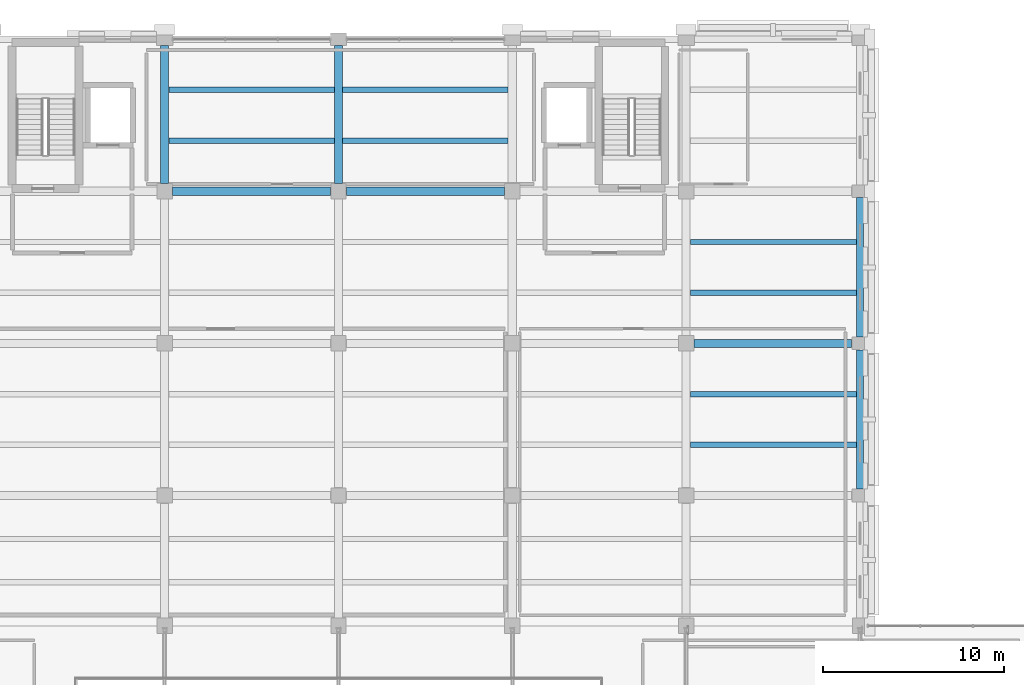
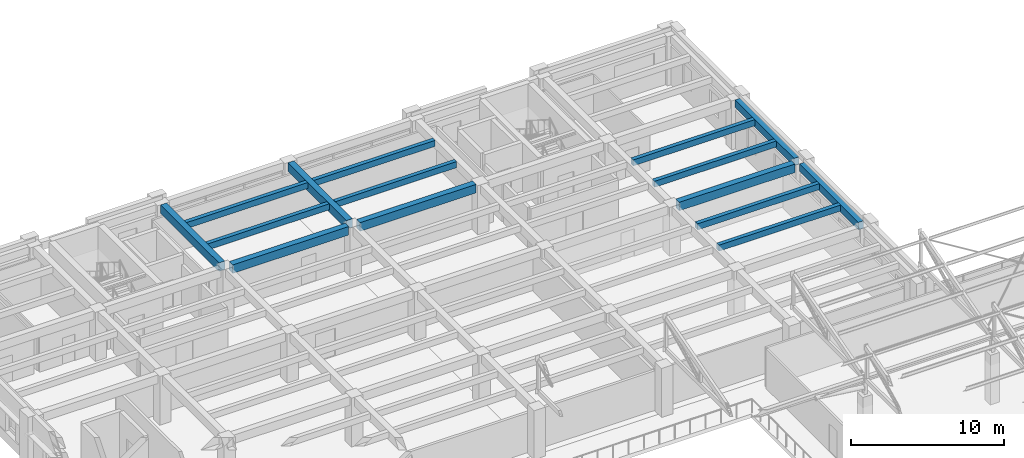
# One storey, part 26 of 58: 15 beams.
"""IFC4 building model written with IfcOpenShell, lengths in metres."""

import ifcopenshell
import ifcopenshell.guid

model = None  # the IFC model being written
_history = None  # IfcOwnerHistory: only IFC2X3 demands one
_inside = {}  # id of a spatial element -> (the spatial element, [elements in it])
_under = {}  # id of a project, library or spatial element -> (it, [spatial elements below it])
_declared = {}  # id of a project -> (the project, [libraries it declares])
_typed = {}  # id of a type object -> (the type object, [elements of that type])
_made_of = {}  # id of a material, layer set ... -> (it, [elements and type objects made of it])


def new_model(schema):
    """Start an empty IFC model of exactly this schema.

    Asked for "IFC4X3", IfcOpenShell would pick the latest addendum, in which some entities
    have other attributes; the version numbers below select the first issue.
    IFC2X3 requires an IfcOwnerHistory on every rooted entity: one is made here for all.
    """
    global model, _history
    if schema == "IFC4X3":
        model = ifcopenshell.file(schema_version=(4, 3, 0, 0))
    else:
        model = ifcopenshell.file(schema=schema)
    _inside.clear()
    _under.clear()
    _declared.clear()
    _typed.clear()
    _made_of.clear()
    _history = None
    if model.schema == "IFC2X3":
        org = make("IfcOrganization", Name="unknown")
        user = make(
            "IfcPersonAndOrganization",
            ThePerson=make("IfcPerson", FamilyName="unknown"),
            TheOrganization=org,
        )
        app = make(
            "IfcApplication",
            ApplicationDeveloper=org,
            Version="unknown",
            ApplicationFullName="unknown",
            ApplicationIdentifier="unknown",
        )
        _history = make(
            "IfcOwnerHistory",
            OwningUser=user,
            OwningApplication=app,
            ChangeAction="ADDED",
            CreationDate=0,
        )
    return model


def make(cls, **values):
    """One entity of the class cls with the attributes given. An attribute that is None is left unset."""
    return model.create_entity(
        cls, **{name: value for name, value in values.items() if value is not None}
    )


def rooted(cls, **values):
    """An entity with a GlobalId (a new one), such as an element, a storey or a relation."""
    return make(cls, GlobalId=ifcopenshell.guid.new(), OwnerHistory=_history, **values)


def si_unit(unit_type, name, prefix=None):
    """IfcSIUnit, for example si_unit("LENGTHUNIT", "METRE", prefix="MILLI")."""
    return make("IfcSIUnit", UnitType=unit_type, Prefix=prefix, Name=name)


def assignment(units):
    """IfcUnitAssignment: the units of a project."""
    return None if units is None else make("IfcUnitAssignment", Units=units)


def point(xyz):
    """IfcCartesianPoint."""
    return None if xyz is None else make("IfcCartesianPoint", Coordinates=xyz)


def direction(xyz):
    """IfcDirection."""
    return None if xyz is None else make("IfcDirection", DirectionRatios=xyz)


def frame(location, z_axis=None, x_axis=None):
    """IfcAxis2Placement3D, a coordinate frame: its origin and axes. An axis left out is left unset."""
    return make(
        "IfcAxis2Placement3D",
        Location=point(location),
        Axis=direction(z_axis),
        RefDirection=direction(x_axis),
    )


def frame_2d(location, x_axis=None):
    """IfcAxis2Placement2D, a coordinate frame in the plane: its origin and x axis."""
    return make(
        "IfcAxis2Placement2D", Location=point(location), RefDirection=direction(x_axis)
    )


def origin():
    """The frame at (0, 0, 0) with its axes left unset."""
    return frame((0.0, 0.0, 0.0))


def origin_2d():
    """The frame at (0, 0) in the plane with its x axis left unset."""
    return frame_2d((0.0, 0.0))


def place(relative_to, where):
    """IfcLocalPlacement: puts the frame where relative to a parent placement (None: the world)."""
    return make(
        "IfcLocalPlacement", PlacementRelTo=relative_to, RelativePlacement=where
    )


def context(
    kind, dimensions, precision=None, world=None, true_north=None, identifier=None
):
    """IfcGeometricRepresentationContext, for example the 3D "Model" context."""
    return make(
        "IfcGeometricRepresentationContext",
        ContextIdentifier=identifier,
        ContextType=kind,
        CoordinateSpaceDimension=dimensions,
        Precision=precision,
        WorldCoordinateSystem=world,
        TrueNorth=true_north,
    )


def subcontext(parent, identifier, kind, view, scale=None):
    """IfcGeometricRepresentationSubContext, for example "Body" below "Model"."""
    return make(
        "IfcGeometricRepresentationSubContext",
        ContextIdentifier=identifier,
        ContextType=kind,
        ParentContext=parent,
        TargetScale=scale,
        TargetView=view,
    )


def project(units=None, contexts=None):
    """IfcProject with its units and contexts."""
    return rooted(
        "IfcProject",
        Name="project",
        RepresentationContexts=contexts,
        UnitsInContext=assignment(units),
    )


def spatial(cls, under=None, at=None, **own):
    """A site, building, storey or space (cls), placed at a placement, below another one or the project."""
    s = rooted(cls, ObjectPlacement=at, **own)
    if under is not None:
        _under.setdefault(under.id(), (under, []))[1].append(s)
    return s


def profile(cls, at=None, kind="AREA", **sizes):
    """A parametric profile (cls). Its sizes go by their IFC names, for example OverallWidth=200.0."""
    return make(cls, ProfileType=kind, Position=at, **sizes)


def rectangle(**sizes):
    """IfcRectangleProfileDef."""
    return profile("IfcRectangleProfileDef", **sizes)


def extrude(swept, where, along, depth):
    """IfcExtrudedAreaSolid: the profile swept, set in the frame where, extruded along a direction by depth."""
    return make(
        "IfcExtrudedAreaSolid",
        SweptArea=swept,
        Position=where,
        ExtrudedDirection=direction(along),
        Depth=depth,
    )


def shape(context_of_items, identifier, shape_type, items):
    """IfcShapeRepresentation: the items that make up one representation, for example the "Body"."""
    return make(
        "IfcShapeRepresentation",
        ContextOfItems=context_of_items,
        RepresentationIdentifier=identifier,
        RepresentationType=shape_type,
        Items=items,
    )


def material(Name=None, Category=None):
    """IfcMaterial."""
    return make("IfcMaterial", Name=Name, Category=Category)


def material_profile(
    of_material, cross_section, Name=None, Category=None, Priority=None
):
    """IfcMaterialProfile: a cross section and its material."""
    return make(
        "IfcMaterialProfile",
        Name=Name,
        Material=of_material,
        Profile=cross_section,
        Priority=Priority,
        Category=Category,
    )


def profile_set(profiles, Name=None, composite=None):
    """IfcMaterialProfileSet."""
    return make(
        "IfcMaterialProfileSet",
        Name=Name,
        MaterialProfiles=profiles,
        CompositeProfile=composite,
    )


def made_of(thing, what):
    """Note that an element or type object is made of a material, layer set ...; save() writes the relation."""
    if what is not None:
        _made_of.setdefault(what.id(), (what, []))[1].append(thing)
    return thing


def type_object(cls, material=None, **own):
    """A type object (cls), such as IfcWallType, which elements share."""
    return made_of(rooted(cls, **own), material)


def element(
    cls,
    number,
    at=None,
    inside=None,
    cuts=None,
    type_object=None,
    material=None,
    context=None,
    identifier="Body",
    shape_type=None,
    held_by="IfcProductDefinitionShape",
    body=None,
    shapes=None,
    **own,
):
    """One element of the class cls, such as IfcWall. Its Tag is "e" and its number.

    at: its placement. inside: the storey or other place that contains it. cuts: it is an
    opening in that element (IfcRelVoidsElement). A single representation is given by context,
    identifier, shape_type and body (its items); several are given by shapes. held_by: the class
    of the entity that holds the representations. save() writes the other relations.
    """
    e = rooted(cls, Tag="e%d" % number, ObjectPlacement=at, **own)
    if body is not None:
        shapes = [shape(context, identifier, shape_type, body)]
    if shapes is not None:
        e.Representation = make(held_by, Representations=shapes)
    if inside is not None:
        _inside.setdefault(inside.id(), (inside, []))[1].append(e)
    if cuts is not None:
        rooted(
            "IfcRelVoidsElement", RelatingBuildingElement=cuts, RelatedOpeningElement=e
        )
    if type_object is not None:
        _typed.setdefault(type_object.id(), (type_object, []))[1].append(e)
    return made_of(e, material)


def aggregate(whole, parts):
    """IfcRelAggregates: a whole, such as a stair, and the parts it consists of."""
    return rooted("IfcRelAggregates", RelatingObject=whole, RelatedObjects=parts)


def save(model, path):
    """Write the relations noted so far, then the file.

    IfcRelAggregates (storeys below a building ...), IfcRelContainedInSpatialStructure (elements
    in a storey), IfcRelDefinesByType, IfcRelAssociatesMaterial and IfcRelDeclares: one each for
    every whole, place, type object, material and project.
    """
    for whole, parts in _under.values():
        aggregate(whole, parts)
    for where, things in _inside.values():
        rooted(
            "IfcRelContainedInSpatialStructure",
            RelatedElements=things,
            RelatingStructure=where,
        )
    for kind, things in _typed.values():
        rooted("IfcRelDefinesByType", RelatedObjects=things, RelatingType=kind)
    for what, things in _made_of.values():
        rooted("IfcRelAssociatesMaterial", RelatedObjects=things, RelatingMaterial=what)
    for by, libraries in _declared.values():
        rooted("IfcRelDeclares", RelatingContext=by, RelatedDefinitions=libraries)
    model.write(path)


model = new_model("IFC4")

# Units and contexts
model_context = context("Model", 3, precision=1e-05, world=origin(), true_north=direction((0.0, 1.0)))
body_context = subcontext(model_context, "Body", "Model", "MODEL_VIEW")
ifc_project = project(units=[si_unit("LENGTHUNIT", "METRE"), si_unit("AREAUNIT", "SQUARE_METRE"), si_unit("VOLUMEUNIT", "CUBIC_METRE"), si_unit("PLANEANGLEUNIT", "RADIAN"), si_unit("MASSUNIT", "GRAM", prefix="KILO")], contexts=[model_context])

# Site, building, storey
site_placement = place(None, origin())
site = spatial("IfcSite", under=ifc_project, at=site_placement, CompositionType="ELEMENT")
building_placement = place(site_placement, origin())
building = spatial("IfcBuilding", under=site, at=building_placement, Name="Bempovik Park Faculty of Sciences", CompositionType="ELEMENT")
storey_placement = place(building_placement, frame((0.0, 0.0, 18.300048828125)))
storey = spatial("IfcBuildingStorey", under=building, at=storey_placement, Name="L04", CompositionType="ELEMENT", Elevation=18.300048828125)

# Beams
ifc_material = material(Name="Concrete C35/45", Category="concrete")
ifc_material_profile_1 = material_profile(ifc_material, rectangle(XDim=0.3798828125, YDim=0.60009765625, at=origin_2d()), Name="RC 380x600")
ifc_profile_set_1 = profile_set([ifc_material_profile_1], Name="Concrete C35/45")
beam_type_1 = type_object("IfcBeamType", Name="B-032 RC 380x600", PredefinedType="SPANDREL", material=ifc_profile_set_1)
for number, where, z_axis, x_axis, name in (
    (1, (117.60009765625, 94.555908203125, 3.599853515625), (0.0, 1.0, 0.0), (-1.0, 0.0, 0.0), "L04 Beam Y (x=117.6, 94.2-102.6)"),
    (2, (117.60009765625, 102.9560546875, 3.599853515625), (0.0, 1.0, 0.0), (-1.0, 0.0, 0.0), "L04 Beam Y (x=117.6, 102.6-111.0)"),
):
    element("IfcBeam", number, at=place(storey_placement, frame(where, z_axis=z_axis, x_axis=x_axis)), inside=storey, type_object=beam_type_1, Name=name, PredefinedType="SPANDREL", context=body_context, shape_type="SweptSolid", body=[
        extrude(rectangle(XDim=0.3798828125, YDim=0.60009765625, at=origin_2d()), origin(), (0.0, 0.0, 1.0), 7.68798828125),
    ])
ifc_material_profile_2 = material_profile(ifc_material, rectangle(XDim=0.300048828125, YDim=0.47998046875, at=origin_2d()), Name="RC 300x480")
ifc_profile_set_2 = profile_set([ifc_material_profile_2], Name="Concrete C35/45")
beam_type_2 = type_object("IfcBeamType", Name="B-039 RC 300x480", PredefinedType="JOIST", material=ifc_profile_set_2)
for number, where, z_axis, x_axis, name in (
    (3, (79.430908203125, 113.800048828125, 3.659912109375), (1.0, 0.0, 0.0), (0.0, 1.0, 0.0), "L04 Secondary Joist (79.2-88.8, y=113.80)"),
    (4, (79.430908203125, 116.60009765625, 3.659912109375), (1.0, 0.0, 0.0), (0.0, 1.0, 0.0), "L04 Secondary Joist (79.2-88.8, y=116.60)"),
):
    element("IfcBeam", number, at=place(storey_placement, frame(where, z_axis=z_axis, x_axis=x_axis)), inside=storey, type_object=beam_type_2, Name=name, PredefinedType="JOIST", context=body_context, shape_type="SweptSolid", body=[
        extrude(rectangle(XDim=0.300048828125, YDim=0.47998046875, at=origin_2d()), origin(), (0.0, 0.0, 1.0), 9.13818359375),
    ])
for number, where, z_axis, x_axis, name in (
    (5, (89.031005859375, 113.800048828125, 3.659912109375), (1.0, 0.0, 0.0), (0.0, 1.0, 0.0), "L04 Secondary Joist (88.8-98.4, y=113.80)"),
    (6, (89.031005859375, 116.60009765625, 3.659912109375), (1.0, 0.0, 0.0), (0.0, 1.0, 0.0), "L04 Secondary Joist (88.8-98.4, y=116.60)"),
):
    element("IfcBeam", number, at=place(storey_placement, frame(where, z_axis=z_axis, x_axis=x_axis)), inside=storey, type_object=beam_type_2, Name=name, PredefinedType="JOIST", context=body_context, shape_type="SweptSolid", body=[
        extrude(rectangle(XDim=0.300048828125, YDim=0.47998046875, at=origin_2d()), origin(), (0.0, 0.0, 1.0), 9.137939453125),
    ])
for number, where, z_axis, x_axis, name in (
    (7, (108.23095703125, 97.0, 3.659912109375), (1.0, 0.0, 0.0), (0.0, 1.0, 0.0), "L04 Secondary Joist (108.0-117.6, y=97.00)"),
    (8, (108.23095703125, 99.800048828125, 3.659912109375), (1.0, 0.0, 0.0), (0.0, 1.0, 0.0), "L04 Secondary Joist (108.0-117.6, y=99.80)"),
    (9, (108.23095703125, 105.39990234375, 3.659912109375), (1.0, 0.0, 0.0), (0.0, 1.0, 0.0), "L04 Secondary Joist (108.0-117.6, y=105.40)"),
    (10, (108.23095703125, 108.199951171875, 3.659912109375), (1.0, 0.0, 0.0), (0.0, 1.0, 0.0), "L04 Secondary Joist (108.0-117.6, y=108.20)"),
):
    element("IfcBeam", number, at=place(storey_placement, frame(where, z_axis=z_axis, x_axis=x_axis)), inside=storey, type_object=beam_type_2, Name=name, PredefinedType="JOIST", context=body_context, shape_type="SweptSolid", body=[
        extrude(rectangle(XDim=0.300048828125, YDim=0.47998046875, at=origin_2d()), origin(), (0.0, 0.0, 1.0), 9.173095703125),
    ])
ifc_material_profile_3 = material_profile(ifc_material, rectangle(XDim=0.449951171875, YDim=0.679931640625, at=origin_2d()), Name="RC 450x680")
ifc_profile_set_3 = profile_set([ifc_material_profile_3], Name="Concrete C35/45")
beam_type_3 = type_object("IfcBeamType", Name="B-113 RC 450x680", PredefinedType="BEAM", material=ifc_profile_set_3)
beam_1_placement = place(storey_placement, frame((108.430908203125, 102.60009765625, 3.56005859375), z_axis=(1.0, 0.0, 0.0), x_axis=(0.0, 1.0, 0.0)))
element("IfcBeam", 11, at=beam_1_placement, inside=storey, type_object=beam_type_3, Name="L04 Beam X (108.0-117.6, y=102.6)", PredefinedType="BEAM", context=body_context, shape_type="SweptSolid", body=[
    extrude(rectangle(XDim=0.449951171875, YDim=0.679931640625, at=origin_2d()), origin(), (0.0, 0.0, 1.0), 8.713134765625),
])
beam_2_placement = place(storey_placement, frame((79.631103515625, 111.0, 3.56005859375), z_axis=(1.0, 0.0, 0.0), x_axis=(0.0, 1.0, 0.0)))
element("IfcBeam", 12, at=beam_2_placement, inside=storey, type_object=beam_type_3, Name="L04 Beam X (79.2-88.8, y=111.0)", PredefinedType="BEAM", context=body_context, shape_type="SweptSolid", body=[
    extrude(rectangle(XDim=0.449951171875, YDim=0.679931640625, at=origin_2d()), origin(), (0.0, 0.0, 1.0), 8.73779296875),
])
beam_3_placement = place(storey_placement, frame((89.23095703125, 111.0, 3.56005859375), z_axis=(1.0, 0.0, 0.0), x_axis=(0.0, 1.0, 0.0)))
element("IfcBeam", 13, at=beam_3_placement, inside=storey, type_object=beam_type_3, Name="L04 Beam X (88.8-98.4, y=111.0)", PredefinedType="BEAM", context=body_context, shape_type="SweptSolid", body=[
    extrude(rectangle(XDim=0.449951171875, YDim=0.679931640625, at=origin_2d()), origin(), (0.0, 0.0, 1.0), 8.738037109375),
])
for number, where, z_axis, x_axis, name in (
    (14, (79.199951171875, 111.430908203125, 3.56005859375), (0.0, 1.0, 0.0), (-1.0, 0.0, 0.0), "L04 Beam Y (x=79.2, 111.0-119.4)"),
    (15, (88.800048828125, 111.430908203125, 3.56005859375), (0.0, 1.0, 0.0), (-1.0, 0.0, 0.0), "L04 Beam Y (x=88.8, 111.0-119.4)"),
):
    element("IfcBeam", number, at=place(storey_placement, frame(where, z_axis=z_axis, x_axis=x_axis)), inside=storey, type_object=beam_type_3, Name=name, PredefinedType="BEAM", context=body_context, shape_type="SweptSolid", body=[
        extrude(rectangle(XDim=0.449951171875, YDim=0.679931640625, at=origin_2d()), origin(), (0.0, 0.0, 1.0), 7.613037109375),
    ])

save(model, "model.ifc")
